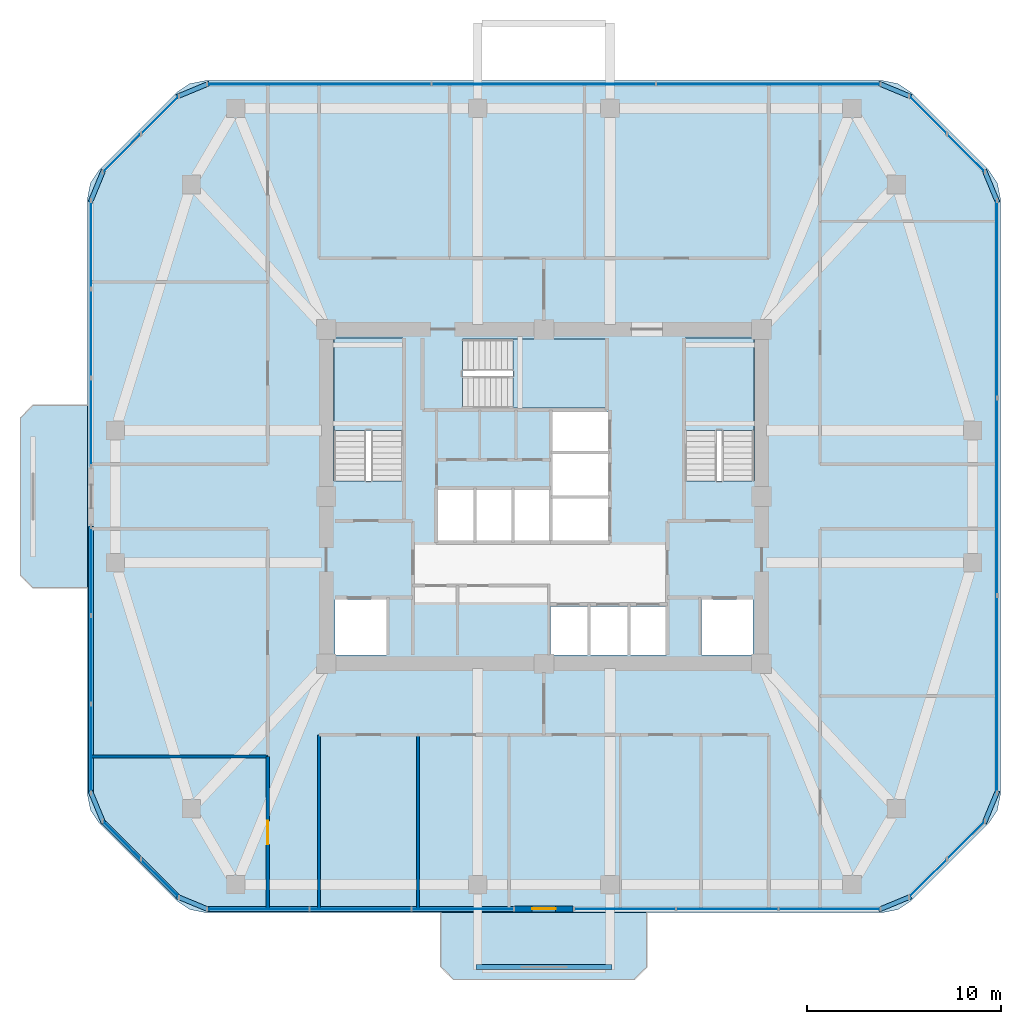
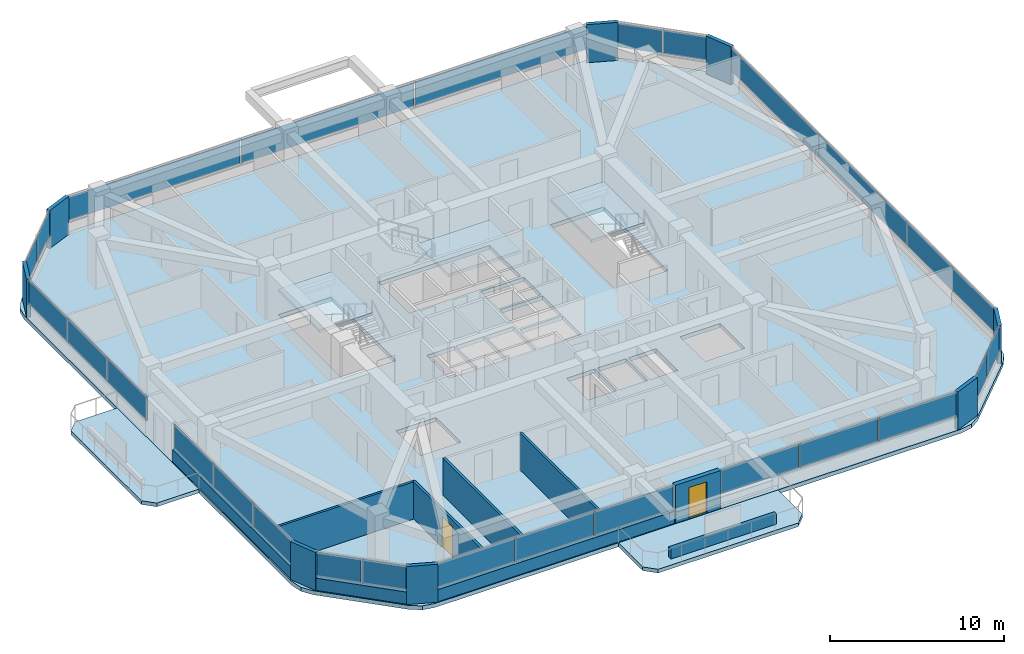
# One storey, part 6 of 12: 34 plates, 9 walls, 6 slabs, 2 doors, 2 openings, 13 elements without a shape of their own.
"""IFC4 building model written with IfcOpenShell, lengths in metres."""

from ifc_helpers import new_model, si_unit, derived_unit, direction, frame, frame_2d, origin, origin_2d, place, context, subcontext, project, spatial, polyline, rectangle, outline, extrude, material, layer, layer_set, type_object, element, fill, aggregate, save


model = new_model("IFC4")

# Units and contexts
model_context = context("Model", 3, precision=1e-05, world=origin(), true_north=direction((0.0, 1.0)))
body_context = subcontext(model_context, "Body", "Model", "MODEL_VIEW")
ifc_project = project(units=[si_unit("LENGTHUNIT", "METRE"), si_unit("AREAUNIT", "SQUARE_METRE"), si_unit("VOLUMEUNIT", "CUBIC_METRE"), si_unit("PLANEANGLEUNIT", "RADIAN"), si_unit("MASSUNIT", "GRAM", prefix="KILO"), derived_unit("THERMALTRANSMITTANCEUNIT", [(si_unit("POWERUNIT", "WATT"), 1), (si_unit("LENGTHUNIT", "METRE"), -2), (si_unit("THERMODYNAMICTEMPERATUREUNIT", "KELVIN"), -1)])], contexts=[model_context])

# Site, building, storey
site_placement = place(None, origin())
site = spatial("IfcSite", under=ifc_project, at=site_placement, CompositionType="ELEMENT")
building_placement = place(site_placement, origin())
building = spatial("IfcBuilding", under=site, at=building_placement, Name="Koralith Skygarden Medical Center", CompositionType="ELEMENT")
storey_placement = place(building_placement, frame((0.0, 0.0, 149.219970703125)))
storey = spatial("IfcBuildingStorey", under=building, at=storey_placement, Name="L38", CompositionType="ELEMENT", Elevation=149.219970703125)

# Curtain wall, plates
ifc_material_1 = material(Name="Clear Laminated Glass", Category="glass")
curtain_wall_type = type_object("IfcCurtainWallType", Name="CW-4 Zone 3 Waist High-Wind Curtain Wall", PredefinedType="NOTDEFINED", material=ifc_material_1)
curtain_wall_1_placement = place(storey_placement, origin())
curtain_wall_1 = element("IfcCurtainWall", 1, at=curtain_wall_1_placement, inside=storey, type_object=curtain_wall_type, Name="Curtain Wall CW-L38-S-L", PredefinedType="NOTDEFINED")
ifc_layer_1 = layer(ifc_material_1, 0.035888671875)
ifc_layer_set_1 = layer_set([ifc_layer_1], Name="Clear Laminated Glass")
plate_type_1 = type_object("IfcPlateType", Name="CW-4 Hurricane Laminated IGU Panel 36", PredefinedType="CURTAIN_PANEL", material=ifc_layer_set_1)
plate_1_placement = place(storey_placement, frame((22.302001953125, 4.679931640625, 0.919921875), z_axis=(0.0, 0.0, 1.0), x_axis=(1.0, 0.0, 0.0)))
plate_1 = element("IfcPlate", 2, at=plate_1_placement, type_object=plate_type_1, Name="CW-L38-S-L Glazed Panel 1", PredefinedType="CURTAIN_PANEL", context=body_context, shape_type="SweptSolid", body=[
    extrude(rectangle(XDim=5.173095703125, YDim=0.035888671875, at=origin_2d()), origin(), (0.0, 0.0, 1.0), 1.679931640625),
])
plate_2_placement = place(storey_placement, frame((27.56494140625, 4.679931640625, 0.919921875), z_axis=(0.0, 0.0, 1.0), x_axis=(1.0, 0.0, 0.0)))
plate_2 = element("IfcPlate", 3, at=plate_2_placement, type_object=plate_type_1, Name="CW-L38-S-L Glazed Panel 2", PredefinedType="CURTAIN_PANEL", context=body_context, shape_type="SweptSolid", body=[
    extrude(rectangle(XDim=5.173095703125, YDim=0.035888671875, at=origin_2d()), origin(), (0.0, 0.0, 1.0), 1.679931640625),
])
plate_3_placement = place(storey_placement, frame((32.827880859375, 4.679931640625, 0.919921875), z_axis=(0.0, 0.0, 1.0), x_axis=(1.0, 0.0, 0.0)))
plate_3 = element("IfcPlate", 4, at=plate_3_placement, type_object=plate_type_1, Name="CW-L38-S-L Glazed Panel 3", PredefinedType="CURTAIN_PANEL", context=body_context, shape_type="SweptSolid", body=[
    extrude(rectangle(XDim=5.173095703125, YDim=0.035888671875, at=origin_2d()), origin(), (0.0, 0.0, 1.0), 1.679931640625),
])
aggregate(curtain_wall_1, [plate_1, plate_2, plate_3])

curtain_wall_2_placement = place(storey_placement, origin())
curtain_wall_2 = element("IfcCurtainWall", 5, at=curtain_wall_2_placement, inside=storey, type_object=curtain_wall_type, Name="Curtain Wall CW-L38-S-R", PredefinedType="NOTDEFINED")
plate_4_placement = place(storey_placement, frame((41.1708984375, 4.679931640625, 0.919921875), z_axis=(0.0, 0.0, 1.0), x_axis=(1.0, 0.0, 0.0)))
plate_4 = element("IfcPlate", 6, at=plate_4_placement, type_object=plate_type_1, Name="CW-L38-S-R Glazed Panel 1", PredefinedType="CURTAIN_PANEL", context=body_context, shape_type="SweptSolid", body=[
    extrude(rectangle(XDim=5.173095703125, YDim=0.035888671875, at=origin_2d()), origin(), (0.0, 0.0, 1.0), 1.679931640625),
])
plate_5_placement = place(storey_placement, frame((46.43408203125, 4.679931640625, 0.919921875), z_axis=(0.0, 0.0, 1.0), x_axis=(1.0, 0.0, 0.0)))
plate_5 = element("IfcPlate", 7, at=plate_5_placement, type_object=plate_type_1, Name="CW-L38-S-R Glazed Panel 2", PredefinedType="CURTAIN_PANEL", context=body_context, shape_type="SweptSolid", body=[
    extrude(rectangle(XDim=5.173095703125, YDim=0.035888671875, at=origin_2d()), origin(), (0.0, 0.0, 1.0), 1.679931640625),
])
plate_6_placement = place(storey_placement, frame((51.697021484375, 4.679931640625, 0.919921875), z_axis=(0.0, 0.0, 1.0), x_axis=(1.0, 0.0, 0.0)))
plate_6 = element("IfcPlate", 8, at=plate_6_placement, type_object=plate_type_1, Name="CW-L38-S-R Glazed Panel 3", PredefinedType="CURTAIN_PANEL", context=body_context, shape_type="SweptSolid", body=[
    extrude(rectangle(XDim=5.173095703125, YDim=0.035888671875, at=origin_2d()), origin(), (0.0, 0.0, 1.0), 1.679931640625),
])
aggregate(curtain_wall_2, [plate_4, plate_5, plate_6])

curtain_wall_3_placement = place(storey_placement, origin())
curtain_wall_3 = element("IfcCurtainWall", 9, at=curtain_wall_3_placement, inside=storey, type_object=curtain_wall_type, Name="Curtain Wall CW-L38-SE", PredefinedType="NOTDEFINED")
plate_7_placement = place(storey_placement, frame((56.760986328125, 6.261962890625, 0.919921875), z_axis=(0.0, 0.0, 1.0), x_axis=(0.707106781187, 0.707106781187, 0.0)))
plate_7 = element("IfcPlate", 10, at=plate_7_placement, type_object=plate_type_1, Name="CW-L38-SE Glazed Panel 1", PredefinedType="CURTAIN_PANEL", context=body_context, shape_type="SweptSolid", body=[
    extrude(rectangle(XDim=2.68408203125, YDim=0.035888671875, at=origin_2d()), origin(), (0.0, 0.0, 1.0), 1.679931640625),
])
plate_8_placement = place(storey_placement, frame((58.721923828125, 8.222900390625, 0.919921875), z_axis=(0.0, 0.0, 1.0), x_axis=(0.707106781187, 0.707106781187, 0.0)))
plate_8 = element("IfcPlate", 11, at=plate_8_placement, type_object=plate_type_1, Name="CW-L38-SE Glazed Panel 2", PredefinedType="CURTAIN_PANEL", context=body_context, shape_type="SweptSolid", body=[
    extrude(rectangle(XDim=2.68408203125, YDim=0.035888671875, at=origin_2d()), origin(), (0.0, 0.0, 1.0), 1.679931640625),
])
aggregate(curtain_wall_3, [plate_7, plate_8])

curtain_wall_4_placement = place(storey_placement, origin())
curtain_wall_4 = element("IfcCurtainWall", 12, at=curtain_wall_4_placement, inside=storey, type_object=curtain_wall_type, Name="Curtain Wall CW-L38-E", PredefinedType="NOTDEFINED")
plate_9_placement = place(storey_placement, frame((60.303955078125, 15.737060546875, 0.919921875), z_axis=(0.0, 0.0, 1.0), x_axis=(0.0, 1.0, 0.0)))
plate_9 = element("IfcPlate", 13, at=plate_9_placement, type_object=plate_type_1, Name="CW-L38-E Glazed Panel 1", PredefinedType="CURTAIN_PANEL", context=body_context, shape_type="SweptSolid", body=[
    extrude(rectangle(XDim=10.072998046875, YDim=0.035888671875, at=origin_2d()), origin(), (0.0, 0.0, 1.0), 1.679931640625),
])
plate_10_placement = place(storey_placement, frame((60.303955078125, 25.89990234375, 0.919921875), z_axis=(0.0, 0.0, 1.0), x_axis=(0.0, 1.0, 0.0)))
plate_10 = element("IfcPlate", 14, at=plate_10_placement, type_object=plate_type_1, Name="CW-L38-E Glazed Panel 2", PredefinedType="CURTAIN_PANEL", context=body_context, shape_type="SweptSolid", body=[
    extrude(rectangle(XDim=10.072998046875, YDim=0.035888671875, at=origin_2d()), origin(), (0.0, 0.0, 1.0), 1.679931640625),
])
plate_11_placement = place(storey_placement, frame((60.303955078125, 36.06298828125, 0.919921875), z_axis=(0.0, 0.0, 1.0), x_axis=(0.0, 1.0, 0.0)))
plate_11 = element("IfcPlate", 15, at=plate_11_placement, type_object=plate_type_1, Name="CW-L38-E Glazed Panel 3", PredefinedType="CURTAIN_PANEL", context=body_context, shape_type="SweptSolid", body=[
    extrude(rectangle(XDim=10.072998046875, YDim=0.035888671875, at=origin_2d()), origin(), (0.0, 0.0, 1.0), 1.679931640625),
])
aggregate(curtain_wall_4, [plate_9, plate_10, plate_11])

curtain_wall_5_placement = place(storey_placement, origin())
curtain_wall_5 = element("IfcCurtainWall", 16, at=curtain_wall_5_placement, inside=storey, type_object=curtain_wall_type, Name="Curtain Wall CW-L38-NE", PredefinedType="NOTDEFINED")
plate_12_placement = place(storey_placement, frame((58.721923828125, 43.576904296875, 0.919921875), z_axis=(0.0, 0.0, 1.0), x_axis=(-0.707106781187, 0.707106781187, 0.0)))
plate_12 = element("IfcPlate", 17, at=plate_12_placement, type_object=plate_type_1, Name="CW-L38-NE Glazed Panel 1", PredefinedType="CURTAIN_PANEL", context=body_context, shape_type="SweptSolid", body=[
    extrude(rectangle(XDim=2.68408203125, YDim=0.035888671875, at=origin_2d()), origin(), (0.0, 0.0, 1.0), 1.679931640625),
])
plate_13_placement = place(storey_placement, frame((56.760986328125, 45.5380859375, 0.919921875), z_axis=(0.0, 0.0, 1.0), x_axis=(-0.707106781187, 0.707106781187, 0.0)))
plate_13 = element("IfcPlate", 18, at=plate_13_placement, type_object=plate_type_1, Name="CW-L38-NE Glazed Panel 2", PredefinedType="CURTAIN_PANEL", context=body_context, shape_type="SweptSolid", body=[
    extrude(rectangle(XDim=2.68408203125, YDim=0.035888671875, at=origin_2d()), origin(), (0.0, 0.0, 1.0), 1.679931640625),
])
aggregate(curtain_wall_5, [plate_12, plate_13])

curtain_wall_6_placement = place(storey_placement, origin())
curtain_wall_6 = element("IfcCurtainWall", 19, at=curtain_wall_6_placement, inside=storey, type_object=curtain_wall_type, Name="Curtain Wall CW-L38-N", PredefinedType="NOTDEFINED")
plate_14_placement = place(storey_placement, frame((48.552978515625, 47.1201171875, 0.919921875), z_axis=(0.0, 0.0, 1.0), x_axis=(-1.0, 0.0, 0.0)))
plate_14 = element("IfcPlate", 20, at=plate_14_placement, type_object=plate_type_1, Name="CW-L38-N Glazed Panel 1", PredefinedType="CURTAIN_PANEL", context=body_context, shape_type="SweptSolid", body=[
    extrude(rectangle(XDim=11.462890625, YDim=0.035888671875, at=origin_2d()), origin(), (0.0, 0.0, 1.0), 1.679931640625),
])
plate_15_placement = place(storey_placement, frame((37.0, 47.1201171875, 0.919921875), z_axis=(0.0, 0.0, 1.0), x_axis=(-1.0, 0.0, 0.0)))
plate_15 = element("IfcPlate", 21, at=plate_15_placement, type_object=plate_type_1, Name="CW-L38-N Glazed Panel 2", PredefinedType="CURTAIN_PANEL", context=body_context, shape_type="SweptSolid", body=[
    extrude(rectangle(XDim=11.462890625, YDim=0.035888671875, at=origin_2d()), origin(), (0.0, 0.0, 1.0), 1.679931640625),
])
plate_16_placement = place(storey_placement, frame((25.447021484375, 47.1201171875, 0.919921875), z_axis=(0.0, 0.0, 1.0), x_axis=(-1.0, 0.0, 0.0)))
plate_16 = element("IfcPlate", 22, at=plate_16_placement, type_object=plate_type_1, Name="CW-L38-N Glazed Panel 3", PredefinedType="CURTAIN_PANEL", context=body_context, shape_type="SweptSolid", body=[
    extrude(rectangle(XDim=11.462890625, YDim=0.035888671875, at=origin_2d()), origin(), (0.0, 0.0, 1.0), 1.679931640625),
])
aggregate(curtain_wall_6, [plate_14, plate_15, plate_16])

curtain_wall_7_placement = place(storey_placement, origin())
curtain_wall_7 = element("IfcCurtainWall", 23, at=curtain_wall_7_placement, inside=storey, type_object=curtain_wall_type, Name="Curtain Wall CW-L38-NW", PredefinedType="NOTDEFINED")
plate_17_placement = place(storey_placement, frame((17.239013671875, 45.5380859375, 0.919921875), z_axis=(0.0, 0.0, 1.0), x_axis=(-0.707106781187, -0.707106781187, 0.0)))
plate_17 = element("IfcPlate", 24, at=plate_17_placement, type_object=plate_type_1, Name="CW-L38-NW Glazed Panel 1", PredefinedType="CURTAIN_PANEL", context=body_context, shape_type="SweptSolid", body=[
    extrude(rectangle(XDim=2.68408203125, YDim=0.035888671875, at=origin_2d()), origin(), (0.0, 0.0, 1.0), 1.679931640625),
])
plate_18_placement = place(storey_placement, frame((15.278076171875, 43.576904296875, 0.919921875), z_axis=(0.0, 0.0, 1.0), x_axis=(-0.707106781187, -0.707106781187, 0.0)))
plate_18 = element("IfcPlate", 25, at=plate_18_placement, type_object=plate_type_1, Name="CW-L38-NW Glazed Panel 2", PredefinedType="CURTAIN_PANEL", context=body_context, shape_type="SweptSolid", body=[
    extrude(rectangle(XDim=2.68408203125, YDim=0.035888671875, at=origin_2d()), origin(), (0.0, 0.0, 1.0), 1.679931640625),
])
aggregate(curtain_wall_7, [plate_17, plate_18])

curtain_wall_8_placement = place(storey_placement, origin())
curtain_wall_8 = element("IfcCurtainWall", 26, at=curtain_wall_8_placement, inside=storey, type_object=curtain_wall_type, Name="Curtain Wall CW-L38-W-L", PredefinedType="NOTDEFINED")
plate_19_placement = place(storey_placement, frame((13.696044921875, 38.861083984375, 0.919921875), z_axis=(0.0, 0.0, 1.0), x_axis=(0.0, -1.0, 0.0)))
plate_19 = element("IfcPlate", 27, at=plate_19_placement, type_object=plate_type_1, Name="CW-L38-W-L Glazed Panel 1", PredefinedType="CURTAIN_PANEL", context=body_context, shape_type="SweptSolid", body=[
    extrude(rectangle(XDim=4.47802734375, YDim=0.035888671875, at=origin_2d()), origin(), (0.0, 0.0, 1.0), 1.679931640625),
])
plate_20_placement = place(storey_placement, frame((13.696044921875, 34.29296875, 0.919921875), z_axis=(0.0, 0.0, 1.0), x_axis=(0.0, -1.0, 0.0)))
plate_20 = element("IfcPlate", 28, at=plate_20_placement, type_object=plate_type_1, Name="CW-L38-W-L Glazed Panel 2", PredefinedType="CURTAIN_PANEL", context=body_context, shape_type="SweptSolid", body=[
    extrude(rectangle(XDim=4.47802734375, YDim=0.035888671875, at=origin_2d()), origin(), (0.0, 0.0, 1.0), 1.679931640625),
])
plate_21_placement = place(storey_placement, frame((13.696044921875, 29.72412109375, 0.919921875), z_axis=(0.0, 0.0, 1.0), x_axis=(0.0, -1.0, 0.0)))
plate_21 = element("IfcPlate", 29, at=plate_21_placement, type_object=plate_type_1, Name="CW-L38-W-L Glazed Panel 3", PredefinedType="CURTAIN_PANEL", context=body_context, shape_type="SweptSolid", body=[
    extrude(rectangle(XDim=4.47802734375, YDim=0.035888671875, at=origin_2d()), origin(), (0.0, 0.0, 1.0), 1.679931640625),
])
aggregate(curtain_wall_8, [plate_19, plate_20, plate_21])

curtain_wall_9_placement = place(storey_placement, origin())
curtain_wall_9 = element("IfcCurtainWall", 30, at=curtain_wall_9_placement, inside=storey, type_object=curtain_wall_type, Name="Curtain Wall CW-L38-W-R", PredefinedType="NOTDEFINED")
plate_22_placement = place(storey_placement, frame((13.696044921875, 22.075927734375, 0.919921875), z_axis=(0.0, 0.0, 1.0), x_axis=(0.0, -1.0, 0.0)))
plate_22 = element("IfcPlate", 31, at=plate_22_placement, type_object=plate_type_1, Name="CW-L38-W-R Glazed Panel 1", PredefinedType="CURTAIN_PANEL", context=body_context, shape_type="SweptSolid", body=[
    extrude(rectangle(XDim=4.47802734375, YDim=0.035888671875, at=origin_2d()), origin(), (0.0, 0.0, 1.0), 1.679931640625),
])
plate_23_placement = place(storey_placement, frame((13.696044921875, 17.508056640625, 0.919921875), z_axis=(0.0, 0.0, 1.0), x_axis=(0.0, -1.0, 0.0)))
plate_23 = element("IfcPlate", 32, at=plate_23_placement, type_object=plate_type_1, Name="CW-L38-W-R Glazed Panel 2", PredefinedType="CURTAIN_PANEL", context=body_context, shape_type="SweptSolid", body=[
    extrude(rectangle(XDim=4.47802734375, YDim=0.035888671875, at=origin_2d()), origin(), (0.0, 0.0, 1.0), 1.679931640625),
])
plate_24_placement = place(storey_placement, frame((13.696044921875, 12.93896484375, 0.919921875), z_axis=(0.0, 0.0, 1.0), x_axis=(0.0, -1.0, 0.0)))
plate_24 = element("IfcPlate", 33, at=plate_24_placement, type_object=plate_type_1, Name="CW-L38-W-R Glazed Panel 3", PredefinedType="CURTAIN_PANEL", context=body_context, shape_type="SweptSolid", body=[
    extrude(rectangle(XDim=4.47802734375, YDim=0.035888671875, at=origin_2d()), origin(), (0.0, 0.0, 1.0), 1.679931640625),
])
aggregate(curtain_wall_9, [plate_22, plate_23, plate_24])

curtain_wall_10_placement = place(storey_placement, origin())
curtain_wall_10 = element("IfcCurtainWall", 34, at=curtain_wall_10_placement, inside=storey, type_object=curtain_wall_type, Name="Curtain Wall CW-L38-SW", PredefinedType="NOTDEFINED")
plate_25_placement = place(storey_placement, frame((15.278076171875, 8.222900390625, 0.919921875), z_axis=(0.0, 0.0, 1.0), x_axis=(0.707106781187, -0.707106781187, 0.0)))
plate_25 = element("IfcPlate", 35, at=plate_25_placement, type_object=plate_type_1, Name="CW-L38-SW Glazed Panel 1", PredefinedType="CURTAIN_PANEL", context=body_context, shape_type="SweptSolid", body=[
    extrude(rectangle(XDim=2.68408203125, YDim=0.035888671875, at=origin_2d()), origin(), (0.0, 0.0, 1.0), 1.679931640625),
])
plate_26_placement = place(storey_placement, frame((17.239013671875, 6.261962890625, 0.919921875), z_axis=(0.0, 0.0, 1.0), x_axis=(0.707106781187, -0.707106781187, 0.0)))
plate_26 = element("IfcPlate", 36, at=plate_26_placement, type_object=plate_type_1, Name="CW-L38-SW Glazed Panel 2", PredefinedType="CURTAIN_PANEL", context=body_context, shape_type="SweptSolid", body=[
    extrude(rectangle(XDim=2.68408203125, YDim=0.035888671875, at=origin_2d()), origin(), (0.0, 0.0, 1.0), 1.679931640625),
])
aggregate(curtain_wall_10, [plate_25, plate_26])

# Slabs
ifc_material_2 = material(Name="Concrete C45/55", Category="concrete")
ifc_layer_2 = layer(ifc_material_2, 0.260009765625)
ifc_layer_set_2 = layer_set([ifc_layer_2], Name="Concrete C45/55")
slab_type_1 = type_object("IfcSlabType", Name="Cantilevered Planted Balcony Slab 260", PredefinedType="FLOOR", material=ifc_layer_set_2)
slab_1_placement = place(storey_placement, frame((0.0, 0.0, -0.260009765625)))
element("IfcSlab", 37, at=slab_1_placement, inside=storey, type_object=slab_type_1, Name="L38 S Planted Sky-Garden Balcony Slab", PredefinedType="FLOOR", context=body_context, shape_type="SweptSolid", body=[
    extrude(outline(polyline([(32.35009765625, 1.050048828125), (41.64990234375, 1.050048828125), (42.300048828125, 1.699951171875), (42.300048828125, 4.5), (31.699951171875, 4.5), (31.699951171875, 1.699951171875), (32.35009765625, 1.050048828125)])), origin(), (0.0, 0.0, 1.0), 0.260009765625),
])
slab_2_placement = place(storey_placement, frame((0.0, 0.0, -0.260009765625)))
element("IfcSlab", 38, at=slab_2_placement, inside=storey, type_object=slab_type_1, Name="L38 W Planted Sky-Garden Balcony Slab", PredefinedType="FLOOR", context=body_context, shape_type="SweptSolid", body=[
    extrude(outline(polyline([(10.716064453125, 21.199951171875), (13.51611328125, 21.199951171875), (13.51611328125, 30.60009765625), (10.716064453125, 30.60009765625), (10.06591796875, 29.949951171875), (10.06591796875, 21.85009765625), (10.716064453125, 21.199951171875)])), origin(), (0.0, 0.0, 1.0), 0.260009765625),
])

# Stair, slab
stair_type = type_object("IfcStairType", Name="Core Exit Dogleg Concrete Stair", PredefinedType="HALF_TURN_STAIR", material=ifc_material_2)
stair_1_placement = place(storey_placement, origin())
stair_1 = element("IfcStair", 39, at=stair_1_placement, inside=storey, type_object=stair_type, Name="L38 Smokeproof Exit Stair ST1", PredefinedType="HALF_TURN_STAIR")
ifc_layer_3 = layer(ifc_material_2, 0.199951171875)
ifc_layer_set_3 = layer_set([ifc_layer_3], Name="Concrete C45/55")
slab_type_2 = type_object("IfcSlabType", Name="Core Exit Concrete Stair Landing 200", PredefinedType="LANDING", material=ifc_layer_set_3)
slab_3_placement = place(storey_placement, frame((0.0, 0.0, 1.60009765625)))
slab_3 = element("IfcSlab", 40, at=slab_3_placement, type_object=slab_type_2, Name="ST1 landing 1", PredefinedType="LANDING", context=body_context, shape_type="SweptSolid", body=[
    extrude(outline(polyline([(29.75, 29.31005859375), (29.75, 34.050048828125), (26.199951171875, 34.050048828125), (26.199951171875, 29.31005859375), (29.75, 29.31005859375)])), origin(), (0.0, 0.0, 1.0), 0.199951171875),
])
aggregate(stair_1, [slab_3])

stair_2_placement = place(storey_placement, origin())
stair_2 = element("IfcStair", 41, at=stair_2_placement, inside=storey, type_object=stair_type, Name="L38 Smokeproof Exit Stair ST2", PredefinedType="HALF_TURN_STAIR")
slab_4_placement = place(storey_placement, frame((0.0, 0.0, 1.60009765625)))
slab_4 = element("IfcSlab", 42, at=slab_4_placement, type_object=slab_type_2, Name="ST2 landing 1", PredefinedType="LANDING", context=body_context, shape_type="SweptSolid", body=[
    extrude(outline(polyline([(47.800048828125, 29.31005859375), (47.800048828125, 34.050048828125), (44.25, 34.050048828125), (44.25, 29.31005859375), (47.800048828125, 29.31005859375)])), origin(), (0.0, 0.0, 1.0), 0.199951171875),
])
aggregate(stair_2, [slab_4])

stair_3_placement = place(storey_placement, origin())
stair_3 = element("IfcStair", 43, at=stair_3_placement, inside=storey, type_object=stair_type, Name="L38 Smokeproof Exit Stair ST3", PredefinedType="HALF_TURN_STAIR")
slab_5_placement = place(storey_placement, frame((0.0, 0.0, 1.60009765625)))
slab_5 = element("IfcSlab", 44, at=slab_5_placement, type_object=slab_type_2, Name="ST3 landing 1", PredefinedType="LANDING", context=body_context, shape_type="SweptSolid", body=[
    extrude(outline(polyline([(35.409912109375, 30.449951171875), (40.199951171875, 30.449951171875), (40.199951171875, 34.0), (35.409912109375, 34.0), (35.409912109375, 30.449951171875)])), origin(), (0.0, 0.0, 1.0), 0.199951171875),
])
aggregate(stair_3, [slab_5])

# Slab
ifc_layer_4 = layer(ifc_material_2, 0.280029296875)
ifc_layer_set_4 = layer_set([ifc_layer_4], Name="Concrete C45/55")
slab_type_3 = type_object("IfcSlabType", Name="Post-Tensioned Ward Floor Plate 280", PredefinedType="FLOOR", material=ifc_layer_set_4)
slab_6_placement = place(storey_placement, frame((0.0, 0.0, -0.280029296875)))
element("IfcSlab", 45, at=slab_6_placement, inside=storey, type_object=slab_type_3, Name="Level L38 Structural Floor Slab", PredefinedType="FLOOR", context=body_context, shape_type="SweptSolid", body=[
    extrude(outline(polyline([(18.1298828125, 5.0859375), (18.779052734375, 4.652099609375), (19.5439453125, 4.5), (54.4560546875, 4.5), (55.220947265625, 4.652099609375), (55.8701171875, 5.0859375), (59.89794921875, 9.114013671875), (60.33203125, 9.762939453125), (60.48388671875, 10.528076171875), (60.48388671875, 41.27197265625), (60.33203125, 42.037109375), (59.89794921875, 42.68603515625), (55.8701171875, 46.714111328125), (55.220947265625, 47.14794921875), (54.4560546875, 47.300048828125), (19.5439453125, 47.300048828125), (18.779052734375, 47.14794921875), (18.1298828125, 46.714111328125), (14.10205078125, 42.68603515625), (13.66796875, 42.037109375), (13.51611328125, 41.27197265625), (13.51611328125, 10.528076171875), (13.66796875, 9.762939453125), (14.10205078125, 9.114013671875), (18.1298828125, 5.0859375)]), holes=[polyline([(26.199951171875, 26.705078125), (29.75, 26.705078125), (29.75, 34.050048828125), (26.199951171875, 34.050048828125), (26.199951171875, 26.705078125)]), polyline([(44.25, 26.705078125), (47.800048828125, 26.705078125), (47.800048828125, 34.050048828125), (44.25, 34.050048828125), (44.25, 26.705078125)]), polyline([(32.804931640625, 30.449951171875), (40.199951171875, 30.449951171875), (40.199951171875, 34.0), (32.804931640625, 34.0), (32.804931640625, 30.449951171875)]), polyline([(26.25, 17.75), (28.89990234375, 17.75), (28.89990234375, 20.60009765625), (26.25, 20.60009765625), (26.25, 17.75)]), polyline([(45.10009765625, 17.75), (47.75, 17.75), (47.75, 20.60009765625), (45.10009765625, 20.60009765625), (45.10009765625, 17.75)]), polyline([(37.35009765625, 17.75), (39.25, 17.75), (39.25, 20.25), (37.35009765625, 20.25), (37.35009765625, 17.75)]), polyline([(39.39990234375, 17.75), (41.300048828125, 17.75), (41.300048828125, 20.25), (39.39990234375, 20.25), (39.39990234375, 17.75)]), polyline([(41.449951171875, 17.75), (43.300048828125, 17.75), (43.300048828125, 20.25), (41.449951171875, 20.25), (41.449951171875, 17.75)]), polyline([(31.550048828125, 23.64990234375), (33.39990234375, 23.64990234375), (33.39990234375, 26.25), (31.550048828125, 26.25), (31.550048828125, 23.64990234375)]), polyline([(33.5, 23.64990234375), (35.35009765625, 23.64990234375), (35.35009765625, 26.25), (33.5, 26.25), (33.5, 23.64990234375)]), polyline([(35.449951171875, 23.64990234375), (37.300048828125, 23.64990234375), (37.300048828125, 26.25), (35.449951171875, 26.25), (35.449951171875, 23.64990234375)]), polyline([(37.449951171875, 23.64990234375), (40.300048828125, 23.64990234375), (40.300048828125, 25.800048828125), (37.449951171875, 25.800048828125), (37.449951171875, 23.64990234375)]), polyline([(37.449951171875, 25.949951171875), (40.300048828125, 25.949951171875), (40.300048828125, 28.10009765625), (37.449951171875, 28.10009765625), (37.449951171875, 25.949951171875)]), polyline([(37.449951171875, 28.25), (40.300048828125, 28.25), (40.300048828125, 30.25), (37.449951171875, 30.25), (37.449951171875, 28.25)])]), origin(), (0.0, 0.0, 1.0), 0.280029296875),
])

# Plates
ifc_material_3 = material(Name="Warm Oolitic Limestone Cladding", Category="masonry")
ifc_layer_5 = layer(ifc_material_3, 0.239990234375)
ifc_layer_set_5 = layer_set([ifc_layer_5], Name="Warm Oolitic Limestone Cladding")
plate_type_2 = type_object("IfcPlateType", Name="Rounded-Corner Oolitic Limestone Cladding Panel 240", PredefinedType="USERDEFINED", material=ifc_layer_set_5)
for number, where, z_axis, x_axis, name in (
    (46, (55.054931640625, 4.97998046875, 0.0), (0.0, 0.0, 1.0), (0.92388487569, 0.382670532536, 0.0), "L38 Rounded-Corner Limestone Pier 1"),
    (47, (60.00390625, 9.929931640625, 0.0), (0.0, 0.0, 1.0), (0.382670532536, 0.92388487569, 0.0), "L38 Rounded-Corner Limestone Pier 2"),
    (48, (60.00390625, 41.8701171875, 0.0), (0.0, 0.0, 1.0), (-0.382670532536, 0.92388487569, 0.0), "L38 Rounded-Corner Limestone Pier 3"),
    (49, (55.054931640625, 46.819091796875, 0.0), (0.0, 0.0, 1.0), (-0.92388487569, 0.382670532536, 0.0), "L38 Rounded-Corner Limestone Pier 4"),
    (50, (18.945068359375, 46.819091796875, 0.0), (0.0, 0.0, 1.0), (-0.92388487569, -0.382670532536, 0.0), "L38 Rounded-Corner Limestone Pier 5"),
    (51, (13.9970703125, 41.8701171875, 0.0), (0.0, 0.0, 1.0), (-0.382670532536, -0.92388487569, 0.0), "L38 Rounded-Corner Limestone Pier 6"),
    (52, (13.9970703125, 9.929931640625, 0.0), (0.0, 0.0, 1.0), (0.382670532536, -0.92388487569, 0.0), "L38 Rounded-Corner Limestone Pier 7"),
    (53, (18.945068359375, 4.97998046875, 0.0), (0.0, 0.0, 1.0), (0.92388487569, -0.382670532536, 0.0), "L38 Rounded-Corner Limestone Pier 8"),
):
    element("IfcPlate", number, at=place(storey_placement, frame(where, z_axis=z_axis, x_axis=x_axis)), inside=storey, type_object=plate_type_2, Name=name, ObjectType="LIMESTONE CLADDING", PredefinedType="USERDEFINED", context=body_context, shape_type="SweptSolid", body=[
        extrude(rectangle(XDim=1.81103515625, YDim=0.239990234375, at=origin_2d()), origin(), (0.0, 0.0, 1.0), 2.669921875),
    ])

# Walls
ifc_material_4 = material(Name="Gypsum Board Partition")
ifc_layer_6 = layer(ifc_material_4, 0.14990234375)
ifc_layer_set_6 = layer_set([ifc_layer_6], Name="Gypsum Board Partition")
wall_type_1 = type_object("IfcWallType", Name="Clinical Acoustic Partition 150", PredefinedType="PARTITIONING", material=ifc_layer_set_6)
wall_1_placement = place(storey_placement, frame((30.52587890625, 13.639892578125, 0.0), z_axis=(0.0, 0.0, 1.0), x_axis=(0.0, -1.0, 0.0)))
element("IfcWall", 54, at=wall_1_placement, inside=storey, type_object=wall_type_1, Name="L38 Clinical Acoustic Partition 150 W-PART-L38-S-01", PredefinedType="PARTITIONING", context=body_context, shape_type="SweptSolid", body=[
    extrude(rectangle(XDim=8.93994140625, YDim=0.14990234375, at=frame_2d((4.469970703125, 0.0))), origin(), (0.0, 0.0, 1.0), 2.610107421875),
])
wall_2_placement = place(storey_placement, frame((22.7900390625, 12.51611328125, 0.0), z_axis=(0.0, 0.0, 1.0), x_axis=(-1.0, 0.0, 0.0)))
element("IfcWall", 55, at=wall_2_placement, inside=storey, type_object=wall_type_1, Name="L38 Clinical Acoustic Partition 150 W-PART-L38-WS-01", PredefinedType="PARTITIONING", context=body_context, shape_type="SweptSolid", body=[
    extrude(rectangle(XDim=9.073974609375, YDim=0.14990234375, at=frame_2d((4.537109375, 0.0))), origin(), (0.0, 0.0, 1.0), 2.610107421875),
])
ifc_layer_7 = layer(ifc_material_4, 0.1650390625)
ifc_layer_set_7 = layer_set([ifc_layer_7], Name="Gypsum Board Partition")
wall_type_2 = type_object("IfcWallType", Name="Clinical Corridor Partition 165", PredefinedType="PARTITIONING", material=ifc_layer_set_7)
wall_3_placement = place(storey_placement, frame((25.429931640625, 4.699951171875, 0.0), z_axis=(0.0, 0.0, 1.0), x_axis=(0.0, 1.0, 0.0)))
element("IfcWall", 56, at=wall_3_placement, inside=storey, type_object=wall_type_2, Name="L38 Clinical Corridor Partition 165 W-HCOR-L38-SW", PredefinedType="PARTITIONING", context=body_context, shape_type="SweptSolid", body=[
    extrude(rectangle(XDim=8.93994140625, YDim=0.1650390625, at=frame_2d((4.469970703125, 0.0))), origin(), (0.0, 0.0, 1.0), 2.610107421875),
])

# Wall, opening, door
wall_4_placement = place(storey_placement, frame((22.7900390625, 4.699951171875, 0.0), z_axis=(0.0, 0.0, 1.0), x_axis=(0.0, 1.0, 0.0)))
wall_4 = element("IfcWall", 57, at=wall_4_placement, inside=storey, type_object=wall_type_2, Name="L38 Clinical Corridor Partition 165 W-CORR-L38-WS-01", PredefinedType="PARTITIONING", context=body_context, shape_type="SweptSolid", body=[
    extrude(rectangle(XDim=7.816162109375, YDim=0.1650390625, at=frame_2d((3.908203125, 0.0))), origin(), (0.0, 0.0, 1.0), 2.610107421875),
])
opening_1_placement = place(wall_4_placement, frame((3.30810546875, 0.0, 0.0)))
opening_1 = element("IfcOpeningElement", 58, at=opening_1_placement, cuts=wall_4, Name="Opening D-CLN", PredefinedType="OPENING", context=body_context, shape_type="SweptSolid", body=[
    extrude(rectangle(XDim=1.199951171875, YDim=2.14990234375, at=frame_2d((0.60009765625, 1.074951171875))), frame((0.0, 0.092529296875, 0.0), z_axis=(0.0, -1.0, 0.0), x_axis=(1.0, 0.0, 0.0)), (0.0, 0.0, 1.0), 0.18505859375),
])
ifc_material_5 = material(Name="Aluminium 6063-T6", Category="aluminium")
door_type_1 = type_object("IfcDoorType", Name="Clinical Corridor Door D-CLN 1200", OperationType="NOTDEFINED", PredefinedType="DOOR", material=ifc_material_5)
door_1_placement = place(opening_1_placement, frame((1.199951171875, 0.0, 0.0), z_axis=(0.0, 0.0, 1.0), x_axis=(-1.0, 0.0, 0.0)))
door_1 = element("IfcDoor", 59, at=door_1_placement, inside=storey, type_object=door_type_1, Name="L38 Clinical Consultation Office 09 Door", OperationType="SINGLE_SWING_RIGHT", OverallHeight=2.14990234375, OverallWidth=1.199951171875, PredefinedType="DOOR", context=body_context, shape_type="SweptSolid", body=[
    extrude(rectangle(XDim=1.199951171875, YDim=2.14990234375, at=frame_2d((0.60009765625, 1.074951171875))), frame((0.0, 0.02490234375, 0.0), z_axis=(0.0, -1.0, 0.0), x_axis=(1.0, 0.0, 0.0)), (0.0, 0.0, 1.0), 0.050048828125),
])
fill(opening_1, door_1)

# Walls
ifc_layer_8 = layer(ifc_material_3, 0.239990234375)
ifc_layer_set_8 = layer_set([ifc_layer_8], Name="Warm Oolitic Limestone Cladding")
wall_type_3 = type_object("IfcWallType", Name="Limestone Spandrel Sill Backup Wall 240", PredefinedType="SOLIDWALL", material=ifc_layer_set_8)
wall_5_placement = place(storey_placement, frame((19.6708984375, 4.679931640625, 0.0), z_axis=(0.0, 0.0, 1.0), x_axis=(1.0, 0.0, 0.0)))
element("IfcWall", 60, at=wall_5_placement, inside=storey, type_object=wall_type_3, Name="L38 Sill Spandrel S-L", PredefinedType="SOLIDWALL", context=body_context, shape_type="SweptSolid", body=[
    extrude(rectangle(XDim=15.7880859375, YDim=0.239990234375, at=frame_2d((7.89404296875, 0.0))), origin(), (0.0, 0.0, 1.0), 0.85009765625),
])
wall_6_placement = place(storey_placement, frame((13.696044921875, 24.360107421875, 0.0), z_axis=(0.0, 0.0, 1.0), x_axis=(0.0, -1.0, 0.0)))
element("IfcWall", 61, at=wall_6_placement, inside=storey, type_object=wall_type_3, Name="L38 Sill Spandrel W-R", PredefinedType="SOLIDWALL", context=body_context, shape_type="SweptSolid", body=[
    extrude(rectangle(XDim=13.705078125, YDim=0.239990234375, at=frame_2d((6.8525390625, 0.0))), origin(), (0.0, 0.0, 1.0), 0.85009765625),
])
wall_7_placement = place(storey_placement, frame((14.297119140625, 9.2041015625, 0.0), z_axis=(0.0, 0.0, 1.0), x_axis=(0.707084777957, -0.707128783731, 0.0)))
element("IfcWall", 62, at=wall_7_placement, inside=storey, type_object=wall_type_3, Name="L38 Sill Spandrel SW", PredefinedType="SOLIDWALL", context=body_context, shape_type="SweptSolid", body=[
    extrude(rectangle(XDim=5.5478515625, YDim=0.239990234375, at=frame_2d((2.77392578125, 0.0))), origin(), (0.0, 0.0, 1.0), 0.85009765625),
])

# Wall, opening, door
ifc_layer_9 = layer(ifc_material_3, 0.300048828125)
ifc_layer_set_9 = layer_set([ifc_layer_9], Name="Warm Oolitic Limestone Cladding")
wall_type_4 = type_object("IfcWallType", Name="Oolitic Limestone Insulated Facade Wall 300", PredefinedType="SOLIDWALL", material=ifc_layer_set_9)
wall_8_placement = place(storey_placement, frame((35.4990234375, 4.679931640625, 0.0), z_axis=(0.0, 0.0, 1.0), x_axis=(1.0, 0.0, 0.0)))
wall_8 = element("IfcWall", 63, at=wall_8_placement, inside=storey, type_object=wall_type_4, Name="L38 Terrace Portal Wall S", PredefinedType="SOLIDWALL", context=body_context, shape_type="SweptSolid", body=[
    extrude(rectangle(XDim=3.0, YDim=0.300048828125, at=frame_2d((1.5, 0.0))), origin(), (0.0, 0.0, 1.0), 2.669921875),
])
opening_2_placement = place(wall_8_placement, frame((0.89990234375, 0.0, 0.0)))
opening_2 = element("IfcOpeningElement", 64, at=opening_2_placement, cuts=wall_8, Name="Opening D-BAL", PredefinedType="OPENING", context=body_context, shape_type="SweptSolid", body=[
    extrude(rectangle(XDim=1.199951171875, YDim=2.199951171875, at=frame_2d((0.60009765625, 1.10009765625))), frame((0.0, 0.159912109375, 0.0), z_axis=(0.0, -1.0, 0.0), x_axis=(1.0, 0.0, 0.0)), (0.0, 0.0, 1.0), 0.320068359375),
])
door_type_2 = type_object("IfcDoorType", Name="Planted Balcony Glazed Terrace Door D-BAL 1200", OperationType="NOTDEFINED", PredefinedType="DOOR", material=ifc_material_5)
door_2_placement = place(opening_2_placement, origin())
door_2 = element("IfcDoor", 65, at=door_2_placement, inside=storey, type_object=door_type_2, Name="L38 S Outdoor Terrace Access Door", OperationType="SINGLE_SWING_LEFT", OverallHeight=2.199951171875, OverallWidth=1.199951171875, PredefinedType="DOOR", context=body_context, shape_type="SweptSolid", body=[
    extrude(rectangle(XDim=1.199951171875, YDim=2.199951171875, at=frame_2d((0.60009765625, 1.10009765625))), frame((0.0, 0.02490234375, 0.0), z_axis=(0.0, -1.0, 0.0), x_axis=(1.0, 0.0, 0.0)), (0.0, 0.0, 1.0), 0.050048828125),
])
fill(opening_2, door_2)

# Wall
ifc_material_6 = material(Name="Precast concrete C40/50", Category="concrete")
ifc_layer_10 = layer(ifc_material_6, 0.25)
ifc_layer_set_10 = layer_set([ifc_layer_10], Name="Precast concrete C40/50")
wall_type_5 = type_object("IfcWallType", Name="Structural Concrete Balcony Planter Kerb 250", PredefinedType="PARAPET", material=ifc_layer_set_10)
wall_9_placement = place(storey_placement, frame((33.5, 1.699951171875, 0.0), z_axis=(0.0, 0.0, 1.0), x_axis=(1.0, 0.0, 0.0)))
element("IfcWall", 66, at=wall_9_placement, inside=storey, type_object=wall_type_5, Name="L38 S Structural Tree PLANTER Box", PredefinedType="PARAPET", context=body_context, shape_type="SweptSolid", body=[
    extrude(rectangle(XDim=7.0, YDim=0.25, at=frame_2d((3.5, 0.0))), origin(), (0.0, 0.0, 1.0), 0.719970703125),
])

save(model, "model.ifc")
